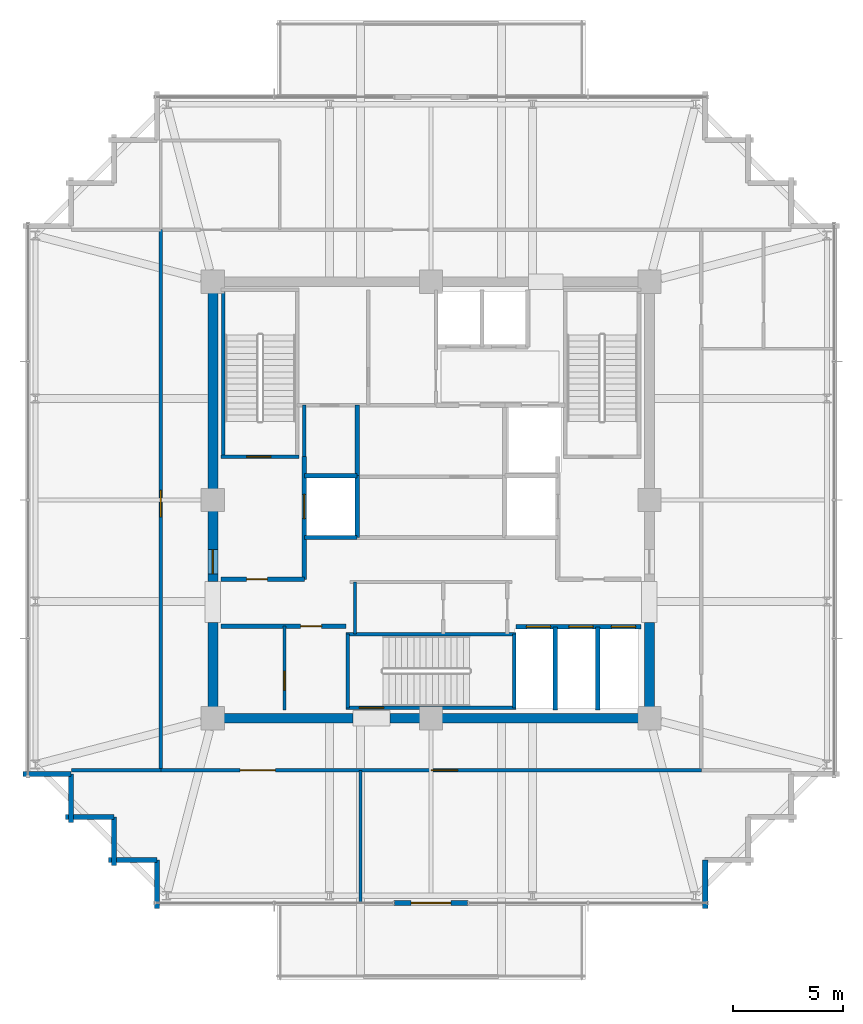
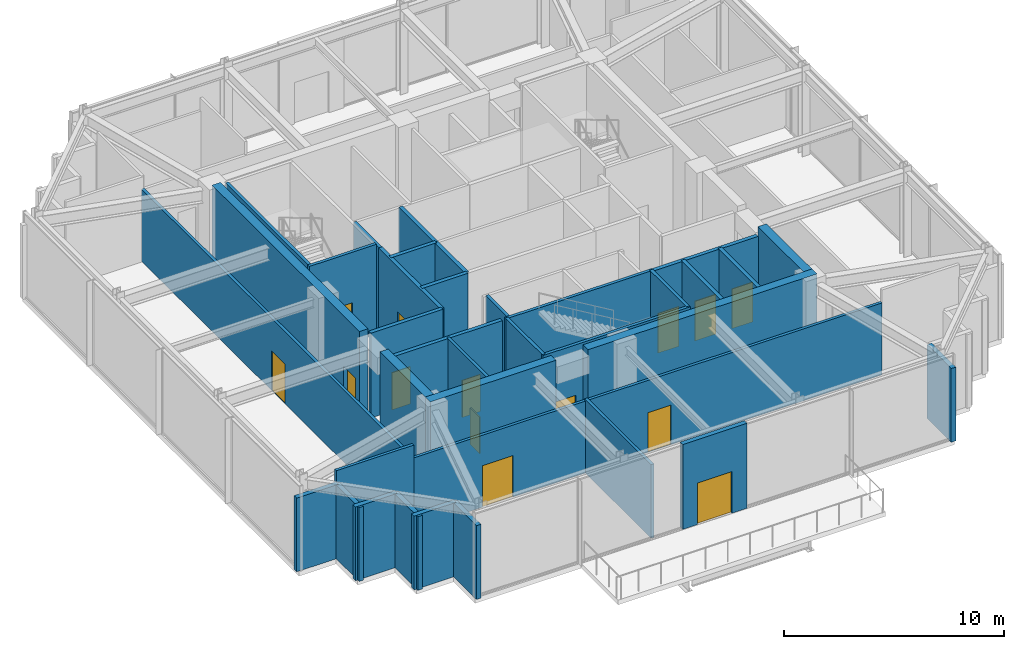
# One storey, part 27 of 31: 36 walls, 14 doors, 14 openings.
"""IFC4 building model written with IfcOpenShell, lengths in metres."""

from ifc_helpers import new_model, si_unit, direction, frame, frame_2d, origin, place, context, subcontext, project, spatial, rectangle, extrude, material, layer, layer_set, type_object, element, fill, save


model = new_model("IFC4")

# Units and contexts
model_context = context("Model", 3, precision=1e-05, world=origin(), true_north=direction((0.0, 1.0)))
body_context = subcontext(model_context, "Body", "Model", "MODEL_VIEW")
ifc_project = project(units=[si_unit("LENGTHUNIT", "METRE"), si_unit("AREAUNIT", "SQUARE_METRE"), si_unit("VOLUMEUNIT", "CUBIC_METRE"), si_unit("PLANEANGLEUNIT", "RADIAN"), si_unit("MASSUNIT", "GRAM", prefix="KILO")], contexts=[model_context])

# Site, building, storey
site_placement = place(None, origin())
site = spatial("IfcSite", under=ifc_project, at=site_placement, CompositionType="ELEMENT")
building_placement = place(site_placement, origin())
building = spatial("IfcBuilding", under=site, at=building_placement, Name="Kolvaren Belvedere", CompositionType="ELEMENT")
storey_placement = place(building_placement, frame((0.0, 0.0, 267.39990234375)))
storey = spatial("IfcBuildingStorey", under=building, at=storey_placement, Name="L77", CompositionType="ELEMENT", Elevation=267.39990234375)

# Walls
ifc_material_1 = material(Name="Concrete C50/60", Category="concrete")
ifc_layer_1 = layer(ifc_material_1, 0.449951171875)
ifc_layer_set_1 = layer_set([ifc_layer_1], Name="Concrete C50/60")
wall_type_1 = type_object("IfcWallType", Name="CW-CORE-450", PredefinedType="SHEAR", material=ifc_layer_set_1)
wall_1_placement = place(storey_placement, frame((10.125, -9.89990234375, 0.0), z_axis=(0.0, 0.0, 1.0), x_axis=(-1.0, 0.0, 0.0)))
element("IfcWall", 1, at=wall_1_placement, inside=storey, type_object=wall_type_1, Name="L77 South Core Shear Wall 1", PredefinedType="SHEAR", context=body_context, shape_type="SweptSolid", body=[
    extrude(rectangle(XDim=11.985107421875, YDim=0.449951171875, at=frame_2d((5.99267578125, 0.0))), origin(), (0.0, 0.0, 1.0), 5.0),
])
wall_2_placement = place(storey_placement, frame((-3.5400390625, -9.89990234375, 0.0), z_axis=(0.0, 0.0, 1.0), x_axis=(-1.0, 0.0, 0.0)))
element("IfcWall", 2, at=wall_2_placement, inside=storey, type_object=wall_type_1, Name="L77 South Core Shear Wall 2", PredefinedType="SHEAR", context=body_context, shape_type="SweptSolid", body=[
    extrude(rectangle(XDim=6.5849609375, YDim=0.449951171875, at=frame_2d((3.29248046875, 0.0))), origin(), (0.0, 0.0, 1.0), 5.0),
])
for number, where, z_axis, x_axis, name in (
    (3, (-9.89990234375, -9.675048828125, 0.0), (0.0, 0.0, 1.0), (0.0, 1.0, 0.0), "L77 West Core Shear Wall 1"),
    (4, (9.89990234375, -9.675048828125, 0.0), (0.0, 0.0, 1.0), (0.0, 1.0, 0.0), "L77 East Core Shear Wall 1"),
):
    element("IfcWall", number, at=place(storey_placement, frame(where, z_axis=z_axis, x_axis=x_axis)), inside=storey, type_object=wall_type_1, Name=name, PredefinedType="SHEAR", context=body_context, shape_type="SweptSolid", body=[
        extrude(rectangle(XDim=4.125, YDim=0.449951171875, at=frame_2d((2.0625, 0.0))), origin(), (0.0, 0.0, 1.0), 5.0),
    ])

# Wall, opening, door
wall_3_placement = place(storey_placement, frame((-9.89990234375, -3.699951171875, 0.0), z_axis=(0.0, 0.0, 1.0), x_axis=(0.0, 1.0, 0.0)))
wall_3 = element("IfcWall", 5, at=wall_3_placement, inside=storey, type_object=wall_type_1, Name="L77 West Core Shear Wall 2", PredefinedType="SHEAR", context=body_context, shape_type="SweptSolid", body=[
    extrude(rectangle(XDim=13.375, YDim=0.449951171875, at=frame_2d((6.6875, 0.0))), origin(), (0.0, 0.0, 1.0), 5.0),
])
opening_1_placement = place(wall_3_placement, frame((0.35009765625, 0.0, 0.0)))
opening_1 = element("IfcOpeningElement", 6, at=opening_1_placement, cuts=wall_3, Name="Opening D-FD90", PredefinedType="OPENING", context=body_context, shape_type="SweptSolid", body=[
    extrude(rectangle(XDim=1.10009765625, YDim=2.199951171875, at=frame_2d((0.550048828125, 1.10009765625))), frame((0.0, 0.23486328125, 0.0), z_axis=(0.0, -1.0, 0.0), x_axis=(1.0, 0.0, 0.0)), (0.0, 0.0, 1.0), 0.469970703125),
])
ifc_material_2 = material(Name="Painted hollow stainless steel", Category="steel")
door_type_1 = type_object("IfcDoorType", Name="DR-FD90-1100", OperationType="NOTDEFINED", PredefinedType="DOOR", material=ifc_material_2)
door_1_placement = place(opening_1_placement, origin())
door_1 = element("IfcDoor", 7, at=door_1_placement, inside=storey, type_object=door_type_1, Name="L77 West Firefighting Lobby Fire Door", OperationType="SINGLE_SWING_LEFT", OverallHeight=2.199951171875, OverallWidth=1.10009765625, PredefinedType="DOOR", context=body_context, shape_type="SweptSolid", body=[
    extrude(rectangle(XDim=1.10009765625, YDim=2.199951171875, at=frame_2d((0.550048828125, 1.10009765625))), frame((0.0, 0.02490234375, 0.0), z_axis=(0.0, -1.0, 0.0), x_axis=(1.0, 0.0, 0.0)), (0.0, 0.0, 1.0), 0.050048828125),
])
fill(opening_1, door_1)

ifc_material_3 = material(Name="Concrete C50/60", Category="concrete")
ifc_layer_2 = layer(ifc_material_3, 0.159912109375)
ifc_layer_set_2 = layer_set([ifc_layer_2], Name="Concrete C50/60")
wall_type_2 = type_object("IfcWallType", Name="CW-STAIR-160", PredefinedType="SHEAR", material=ifc_layer_set_2)
wall_4_placement = place(storey_placement, frame((-9.52001953125, 1.969970703125, 0.0), z_axis=(0.0, 0.0, 1.0), x_axis=(1.0, 0.0, 0.0)))
wall_4 = element("IfcWall", 8, at=wall_4_placement, inside=storey, type_object=wall_type_2, Name="L77 Stair ST-1 South Shear Wall", PredefinedType="SHEAR", context=body_context, shape_type="SweptSolid", body=[
    extrude(rectangle(XDim=3.52001953125, YDim=0.159912109375, at=frame_2d((1.760009765625, 0.0))), origin(), (0.0, 0.0, 1.0), 5.0),
])
opening_2_placement = place(wall_4_placement, frame((1.14990234375, 0.0, 0.0)))
opening_2 = element("IfcOpeningElement", 9, at=opening_2_placement, cuts=wall_4, Name="Opening D-FD90", PredefinedType="OPENING", context=body_context, shape_type="SweptSolid", body=[
    extrude(rectangle(XDim=1.10009765625, YDim=2.199951171875, at=frame_2d((0.550048828125, 1.10009765625))), frame((0.0, 0.08984375, 0.0), z_axis=(0.0, -1.0, 0.0), x_axis=(1.0, 0.0, 0.0)), (0.0, 0.0, 1.0), 0.179931640625),
])
door_2_placement = place(opening_2_placement, origin())
door_2 = element("IfcDoor", 10, at=door_2_placement, inside=storey, type_object=door_type_1, Name="L77 Stair ST-1 Fire Door", OperationType="SINGLE_SWING_LEFT", OverallHeight=2.199951171875, OverallWidth=1.10009765625, PredefinedType="DOOR", context=body_context, shape_type="SweptSolid", body=[
    extrude(rectangle(XDim=1.10009765625, YDim=2.199951171875, at=frame_2d((0.550048828125, 1.10009765625))), frame((0.0, 0.02490234375, 0.0), z_axis=(0.0, -1.0, 0.0), x_axis=(1.0, 0.0, 0.0)), (0.0, 0.0, 1.0), 0.050048828125),
])
fill(opening_2, door_2)

# Wall
wall_5_placement = place(storey_placement, frame((-9.429931640625, 1.969970703125, 0.0), z_axis=(0.0, 0.0, 1.0), x_axis=(0.0, 1.0, 0.0)))
element("IfcWall", 11, at=wall_5_placement, inside=storey, type_object=wall_type_2, Name="L77 Stair ST-1 West Shear Wall", PredefinedType="SHEAR", context=body_context, shape_type="SweptSolid", body=[
    extrude(rectangle(XDim=7.56005859375, YDim=0.159912109375, at=frame_2d((3.780029296875, 0.0))), origin(), (0.0, 0.0, 1.0), 5.0),
])

# Wall, opening, door
wall_6_placement = place(storey_placement, frame((3.860107421875, -9.429931640625, 0.0), z_axis=(0.0, 0.0, 1.0), x_axis=(-1.0, 0.0, 0.0)))
wall_6 = element("IfcWall", 12, at=wall_6_placement, inside=storey, type_object=wall_type_2, Name="L77 Stair ST-3 South Shear Wall", PredefinedType="SHEAR", context=body_context, shape_type="SweptSolid", body=[
    extrude(rectangle(XDim=7.72021484375, YDim=0.159912109375, at=frame_2d((3.860107421875, 0.0))), origin(), (0.0, 0.0, 1.0), 5.0),
])
opening_3_placement = place(wall_6_placement, frame((6.010009765625, 0.0, 0.0)))
opening_3 = element("IfcOpeningElement", 13, at=opening_3_placement, cuts=wall_6, Name="Opening D-FD90", PredefinedType="OPENING", context=body_context, shape_type="SweptSolid", body=[
    extrude(rectangle(XDim=1.10009765625, YDim=2.199951171875, at=frame_2d((0.550048828125, 1.10009765625))), frame((0.0, 0.08984375, 0.0), z_axis=(0.0, -1.0, 0.0), x_axis=(1.0, 0.0, 0.0)), (0.0, 0.0, 1.0), 0.179931640625),
])
door_3_placement = place(opening_3_placement, origin())
door_3 = element("IfcDoor", 14, at=door_3_placement, inside=storey, type_object=door_type_1, Name="L77 Stair ST-3 Exit Door", OperationType="SINGLE_SWING_RIGHT", OverallHeight=2.199951171875, OverallWidth=1.10009765625, PredefinedType="DOOR", context=body_context, shape_type="SweptSolid", body=[
    extrude(rectangle(XDim=1.10009765625, YDim=2.199951171875, at=frame_2d((0.550048828125, 1.10009765625))), frame((0.0, 0.02490234375, 0.0), z_axis=(0.0, -1.0, 0.0), x_axis=(1.0, 0.0, 0.0)), (0.0, 0.0, 1.0), 0.050048828125),
])
fill(opening_3, door_3)

# Walls
wall_7_placement = place(storey_placement, frame((-3.860107421875, -6.080078125, 0.0), z_axis=(0.0, 0.0, 1.0), x_axis=(1.0, 0.0, 0.0)))
element("IfcWall", 15, at=wall_7_placement, inside=storey, type_object=wall_type_2, Name="L77 Stair ST-3 North Shear Wall", PredefinedType="SHEAR", context=body_context, shape_type="SweptSolid", body=[
    extrude(rectangle(XDim=7.72021484375, YDim=0.159912109375, at=frame_2d((3.860107421875, 0.0))), origin(), (0.0, 0.0, 1.0), 5.0),
])
for number, where, z_axis, x_axis, name in (
    (16, (-3.780029296875, -9.429931640625, 0.0), (0.0, 0.0, 1.0), (0.0, 1.0, 0.0), "L77 Stair ST-3 West Shear Wall"),
    (17, (3.780029296875, -9.429931640625, 0.0), (0.0, 0.0, 1.0), (0.0, 1.0, 0.0), "L77 Stair ST-3 East Shear Wall"),
):
    element("IfcWall", number, at=place(storey_placement, frame(where, z_axis=z_axis, x_axis=x_axis)), inside=storey, type_object=wall_type_2, Name=name, PredefinedType="SHEAR", context=body_context, shape_type="SweptSolid", body=[
        extrude(rectangle(XDim=3.349853515625, YDim=0.159912109375, at=frame_2d((1.6748046875, 0.0))), origin(), (0.0, 0.0, 1.0), 5.0),
    ])

# Wall, openings, doors
ifc_material_4 = material(Name="Gypsum fire-rated partition assembly", Category="gypsum")
ifc_layer_3 = layer(ifc_material_4, 0.14990234375)
ifc_layer_set_3 = layer_set([ifc_layer_3], Name="Gypsum fire-rated partition assembly")
wall_type_3 = type_object("IfcWallType", Name="WL-CORR-150", PredefinedType="PARTITIONING", material=ifc_layer_set_3)
wall_8_placement = place(storey_placement, frame((-12.260009765625, -12.260009765625, 0.0), z_axis=(0.0, 0.0, 1.0), x_axis=(1.0, 0.0, 0.0)))
wall_8 = element("IfcWall", 18, at=wall_8_placement, inside=storey, type_object=wall_type_3, Name="L77 South Corridor Wall", PredefinedType="PARTITIONING", context=body_context, shape_type="SweptSolid", body=[
    extrude(rectangle(XDim=24.52001953125, YDim=0.14990234375, at=frame_2d((12.260009765625, 0.0))), origin(), (0.0, 0.0, 1.0), 3.989013671875),
])
opening_4_placement = place(wall_8_placement, frame((3.60009765625, 0.0, 0.0)))
opening_4 = element("IfcOpeningElement", 19, at=opening_4_placement, cuts=wall_8, Name="Opening D-GL16", PredefinedType="OPENING", context=body_context, shape_type="SweptSolid", body=[
    extrude(rectangle(XDim=1.60009765625, YDim=2.300048828125, at=frame_2d((0.800048828125, 1.14990234375))), frame((0.0, 0.0849609375, 0.0), z_axis=(0.0, -1.0, 0.0), x_axis=(1.0, 0.0, 0.0)), (0.0, 0.0, 1.0), 0.169921875),
])
opening_5_placement = place(wall_8_placement, frame((12.260009765625, 0.0, 0.0)))
opening_5 = element("IfcOpeningElement", 20, at=opening_5_placement, cuts=wall_8, Name="Opening D-GL12", PredefinedType="OPENING", context=body_context, shape_type="SweptSolid", body=[
    extrude(rectangle(XDim=1.199951171875, YDim=2.199951171875, at=frame_2d((0.60009765625, 1.10009765625))), frame((0.0, 0.0849609375, 0.0), z_axis=(0.0, -1.0, 0.0), x_axis=(1.0, 0.0, 0.0)), (0.0, 0.0, 1.0), 0.169921875),
])
ifc_material_5 = material(Name="Anodised pale-metal aluminium & safety glass", Category="aluminium")
door_type_2 = type_object("IfcDoorType", Name="DR-GLAZ-1200", OperationType="DOUBLE_DOOR_SINGLE_SWING", PredefinedType="DOOR", material=ifc_material_5)
door_4_placement = place(opening_5_placement, origin())
door_4 = element("IfcDoor", 21, at=door_4_placement, inside=storey, type_object=door_type_2, Name="L77 South Horizon Viewing Lounge Door", OperationType="DOUBLE_DOOR_SINGLE_SWING", OverallHeight=2.199951171875, OverallWidth=1.199951171875, PredefinedType="DOOR", context=body_context, shape_type="SweptSolid", body=[
    extrude(rectangle(XDim=1.199951171875, YDim=2.199951171875, at=frame_2d((0.60009765625, 1.10009765625))), frame((0.0, 0.02490234375, 0.0), z_axis=(0.0, -1.0, 0.0), x_axis=(1.0, 0.0, 0.0)), (0.0, 0.0, 1.0), 0.050048828125),
])
fill(opening_5, door_4)
ifc_material_6 = material(Name="Anodised pale-metal aluminium & safety glass", Category="aluminium")
door_type_3 = type_object("IfcDoorType", Name="DR-GLAZ-1600", OperationType="DOUBLE_DOOR_SINGLE_SWING", PredefinedType="DOOR", material=ifc_material_6)
door_5_placement = place(opening_4_placement, origin())
door_5 = element("IfcDoor", 22, at=door_5_placement, inside=storey, type_object=door_type_3, Name="L77 360-Degree Belvedere Observation Lounge Door", OperationType="DOUBLE_DOOR_SINGLE_SWING", OverallHeight=2.300048828125, OverallWidth=1.60009765625, PredefinedType="DOOR", context=body_context, shape_type="SweptSolid", body=[
    extrude(rectangle(XDim=1.60009765625, YDim=2.300048828125, at=frame_2d((0.800048828125, 1.14990234375))), frame((0.0, 0.02490234375, 0.0), z_axis=(0.0, -1.0, 0.0), x_axis=(1.0, 0.0, 0.0)), (0.0, 0.0, 1.0), 0.050048828125),
])
fill(opening_4, door_5)

# Wall, opening, door
wall_9_placement = place(storey_placement, frame((-12.260009765625, -12.260009765625, 0.0), z_axis=(0.0, 0.0, 1.0), x_axis=(0.0, 1.0, 0.0)))
wall_9 = element("IfcWall", 23, at=wall_9_placement, inside=storey, type_object=wall_type_3, Name="L77 West Corridor Wall", PredefinedType="PARTITIONING", context=body_context, shape_type="SweptSolid", body=[
    extrude(rectangle(XDim=24.52001953125, YDim=0.14990234375, at=frame_2d((12.260009765625, 0.0))), origin(), (0.0, 0.0, 1.0), 3.989013671875),
])
opening_6_placement = place(wall_9_placement, frame((11.5, 0.0, 0.0)))
opening_6 = element("IfcOpeningElement", 24, at=opening_6_placement, cuts=wall_9, Name="Opening D-GL12", PredefinedType="OPENING", context=body_context, shape_type="SweptSolid", body=[
    extrude(rectangle(XDim=1.199951171875, YDim=2.199951171875, at=frame_2d((0.60009765625, 1.10009765625))), frame((0.0, 0.0849609375, 0.0), z_axis=(0.0, -1.0, 0.0), x_axis=(1.0, 0.0, 0.0)), (0.0, 0.0, 1.0), 0.169921875),
])
door_6_placement = place(opening_6_placement, origin())
door_6 = element("IfcDoor", 25, at=door_6_placement, inside=storey, type_object=door_type_2, Name="L77 West Olympic Viewing Salon Door", OperationType="DOUBLE_DOOR_SINGLE_SWING", OverallHeight=2.199951171875, OverallWidth=1.199951171875, PredefinedType="DOOR", context=body_context, shape_type="SweptSolid", body=[
    extrude(rectangle(XDim=1.199951171875, YDim=2.199951171875, at=frame_2d((0.60009765625, 1.10009765625))), frame((0.0, 0.02490234375, 0.0), z_axis=(0.0, -1.0, 0.0), x_axis=(1.0, 0.0, 0.0)), (0.0, 0.0, 1.0), 0.050048828125),
])
fill(opening_6, door_6)

# Wall
wall_10_placement = place(storey_placement, frame((-16.320068359375, -12.260009765625, 0.0), z_axis=(0.0, 0.0, 1.0), x_axis=(1.0, 0.0, 0.0)))
element("IfcWall", 26, at=wall_10_placement, inside=storey, type_object=wall_type_3, Name="L77 Sector Wall PW-L77-QSW", PredefinedType="PARTITIONING", context=body_context, shape_type="SweptSolid", body=[
    extrude(rectangle(XDim=4.06005859375, YDim=0.14990234375, at=frame_2d((2.030029296875, 0.0))), origin(), (0.0, 0.0, 1.0), 4.7001953125),
])

# Wall, opening, door
ifc_material_7 = material(Name="Insulated pale-metal facade wall assembly", Category="aluminium")
ifc_layer_4 = layer(ifc_material_7, 0.239990234375)
ifc_layer_set_4 = layer_set([ifc_layer_4], Name="Insulated pale-metal facade wall assembly")
wall_type_4 = type_object("IfcWallType", Name="WL-EXT-240", PredefinedType="STANDARD", material=ifc_layer_set_4)
wall_11_placement = place(storey_placement, frame((1.679931640625, -18.280029296875, 0.0), z_axis=(0.0, 0.0, 1.0), x_axis=(-1.0, 0.0, 0.0)))
wall_11 = element("IfcWall", 27, at=wall_11_placement, inside=storey, type_object=wall_type_4, Name="L77 South Terrace Portal Wall", PredefinedType="STANDARD", context=body_context, shape_type="SweptSolid", body=[
    extrude(rectangle(XDim=3.35986328125, YDim=0.239990234375, at=frame_2d((1.679931640625, 0.0))), origin(), (0.0, 0.0, 1.0), 4.7001953125),
])
opening_7_placement = place(wall_11_placement, frame((0.780029296875, 0.0, 0.0)))
opening_7 = element("IfcOpeningElement", 28, at=opening_7_placement, cuts=wall_11, Name="Opening DE-1800", PredefinedType="OPENING", context=body_context, shape_type="SweptSolid", body=[
    extrude(rectangle(XDim=1.800048828125, YDim=2.300048828125, at=frame_2d((0.89990234375, 1.14990234375))), frame((0.0, 0.1298828125, 0.0), z_axis=(0.0, -1.0, 0.0), x_axis=(1.0, 0.0, 0.0)), (0.0, 0.0, 1.0), 0.260009765625),
])
ifc_material_8 = material(Name="Thermally broken pale-metal aluminium & safety glass", Category="aluminium")
door_type_4 = type_object("IfcDoorType", Name="DR-EXT-1800", OperationType="DOUBLE_DOOR_SINGLE_SWING", PredefinedType="DOOR", material=ifc_material_8)
door_7_placement = place(opening_7_placement, origin())
door_7 = element("IfcDoor", 29, at=door_7_placement, inside=storey, type_object=door_type_4, Name="L77 South Public Lookout Exit Door", OperationType="DOUBLE_DOOR_SINGLE_SWING", OverallHeight=2.300048828125, OverallWidth=1.800048828125, PredefinedType="DOOR", context=body_context, shape_type="SweptSolid", body=[
    extrude(rectangle(XDim=1.800048828125, YDim=2.300048828125, at=frame_2d((0.89990234375, 1.14990234375))), frame((0.0, 0.02490234375, 0.0), z_axis=(0.0, -1.0, 0.0), x_axis=(1.0, 0.0, 0.0)), (0.0, 0.0, 1.0), 0.050048828125),
])
fill(opening_7, door_7)

# Walls
for number, where, z_axis, x_axis, name in (
    (30, (12.429931640625, -16.330078125, 0.0), (0.0, 0.0, 1.0), (0.0, -1.0, 0.0), "L77 Serrated Corner Facade Wall 2"),
    (31, (-16.330078125, -12.429931640625, 0.0), (0.0, 0.0, 1.0), (-1.0, 0.0, 0.0), "L77 Serrated Corner Facade Wall 23"),
):
    element("IfcWall", number, at=place(storey_placement, frame(where, z_axis=z_axis, x_axis=x_axis)), inside=storey, type_object=wall_type_4, Name=name, PredefinedType="STANDARD", context=body_context, shape_type="SweptSolid", body=[
        extrude(rectangle(XDim=2.18994140625, YDim=0.239990234375, at=frame_2d((1.094970703125, 0.0))), origin(), (0.0, 0.0, 1.0), 4.0830078125),
    ])
for number, where, z_axis, x_axis, name in (
    (32, (-16.330078125, -14.6201171875, 0.0), (0.0, 0.0, 1.0), (0.0, 1.0, 0.0), "L77 Serrated Corner Facade Wall 24"),
    (33, (-14.3798828125, -14.3798828125, 0.0), (0.0, 0.0, 1.0), (-1.0, 0.0, 0.0), "L77 Serrated Corner Facade Wall 25"),
    (34, (-14.3798828125, -16.570068359375, 0.0), (0.0, 0.0, 1.0), (0.0, 1.0, 0.0), "L77 Serrated Corner Facade Wall 26"),
    (35, (-12.429931640625, -16.330078125, 0.0), (0.0, 0.0, 1.0), (-1.0, 0.0, 0.0), "L77 Serrated Corner Facade Wall 27"),
):
    element("IfcWall", number, at=place(storey_placement, frame(where, z_axis=z_axis, x_axis=x_axis)), inside=storey, type_object=wall_type_4, Name=name, PredefinedType="STANDARD", context=body_context, shape_type="SweptSolid", body=[
        extrude(rectangle(XDim=2.190185546875, YDim=0.239990234375, at=frame_2d((1.09521484375, 0.0))), origin(), (0.0, 0.0, 1.0), 4.0830078125),
    ])
wall_12_placement = place(storey_placement, frame((-12.429931640625, -18.52001953125, 0.0), z_axis=(0.0, 0.0, 1.0), x_axis=(0.0, 1.0, 0.0)))
element("IfcWall", 36, at=wall_12_placement, inside=storey, type_object=wall_type_4, Name="L77 Serrated Corner Facade Wall 28", PredefinedType="STANDARD", context=body_context, shape_type="SweptSolid", body=[
    extrude(rectangle(XDim=2.18994140625, YDim=0.239990234375, at=frame_2d((1.094970703125, 0.0))), origin(), (0.0, 0.0, 1.0), 4.0830078125),
])

# Wall, opening, door
ifc_material_9 = material(Name="Gypsum acoustic partition assembly", Category="gypsum")
ifc_layer_5 = layer(ifc_material_9, 0.14990234375)
ifc_layer_set_5 = layer_set([ifc_layer_5], Name="Gypsum acoustic partition assembly")
wall_type_5 = type_object("IfcWallType", Name="WL-PART-150", PredefinedType="PARTITIONING", material=ifc_layer_set_5)
wall_13_placement = place(storey_placement, frame((-6.64990234375, -9.52001953125, 0.0), z_axis=(0.0, 0.0, 1.0), x_axis=(0.0, 1.0, 0.0)))
wall_13 = element("IfcWall", 37, at=wall_13_placement, inside=storey, type_object=wall_type_5, Name="L77 Reclaimed Mid Divider", PredefinedType="PARTITIONING", context=body_context, shape_type="SweptSolid", body=[
    extrude(rectangle(XDim=3.800048828125, YDim=0.14990234375, at=frame_2d((1.89990234375, 0.0))), origin(), (0.0, 0.0, 1.0), 4.7001953125),
])
opening_8_placement = place(wall_13_placement, frame((0.89990234375, 0.0, 0.0)))
opening_8 = element("IfcOpeningElement", 38, at=opening_8_placement, cuts=wall_13, Name="Opening D-INT85", PredefinedType="OPENING", context=body_context, shape_type="SweptSolid", body=[
    extrude(rectangle(XDim=0.85009765625, YDim=2.030029296875, at=frame_2d((0.425048828125, 1.01513671875))), frame((0.0, 0.0849609375, 0.0), z_axis=(0.0, -1.0, 0.0), x_axis=(1.0, 0.0, 0.0)), (0.0, 0.0, 1.0), 0.169921875),
])
ifc_material_10 = material(Name="Stained Pacific white oak", Category="timber")
door_type_5 = type_object("IfcDoorType", Name="DR-INT-850", OperationType="NOTDEFINED", PredefinedType="DOOR", material=ifc_material_10)
door_8_placement = place(opening_8_placement, origin())
door_8 = element("IfcDoor", 39, at=door_8_placement, inside=storey, type_object=door_type_5, Name="L77 Conservatory Alcove Door", OperationType="SINGLE_SWING_RIGHT", OverallHeight=2.030029296875, OverallWidth=0.85009765625, PredefinedType="DOOR", context=body_context, shape_type="SweptSolid", body=[
    extrude(rectangle(XDim=0.85009765625, YDim=2.030029296875, at=frame_2d((0.425048828125, 1.01513671875))), frame((0.0, 0.02490234375, 0.0), z_axis=(0.0, -1.0, 0.0), x_axis=(1.0, 0.0, 0.0)), (0.0, 0.0, 1.0), 0.050048828125),
])
fill(opening_8, door_8)

# Walls
wall_14_placement = place(storey_placement, frame((-3.449951171875, -6.080078125, 0.0), z_axis=(0.0, 0.0, 1.0), x_axis=(0.0, 1.0, 0.0)))
element("IfcWall", 40, at=wall_14_placement, inside=storey, type_object=wall_type_5, Name="L77 South Core Service West Wall", PredefinedType="PARTITIONING", context=body_context, shape_type="SweptSolid", body=[
    extrude(rectangle(XDim=2.360107421875, YDim=0.14990234375, at=frame_2d((1.18017578125, 0.0))), origin(), (0.0, 0.0, 1.0), 4.7001953125),
])
wall_15_placement = place(storey_placement, frame((-5.75, 1.969970703125, 0.0), z_axis=(0.0, 0.0, 1.0), x_axis=(0.0, 1.0, 0.0)))
element("IfcWall", 41, at=wall_15_placement, inside=storey, type_object=wall_type_5, Name="L77 NW Service Room West Wall", PredefinedType="PARTITIONING", context=body_context, shape_type="SweptSolid", body=[
    extrude(rectangle(XDim=2.330078125, YDim=0.14990234375, at=frame_2d((1.1650390625, 0.0))), origin(), (0.0, 0.0, 1.0), 4.7001953125),
])
wall_16_placement = place(storey_placement, frame((-3.199951171875, -18.280029296875, 0.0), z_axis=(0.0, 0.0, 1.0), x_axis=(0.0, 1.0, 0.0)))
element("IfcWall", 42, at=wall_16_placement, inside=storey, type_object=wall_type_5, Name="L77 South Salon Divider", PredefinedType="PARTITIONING", context=body_context, shape_type="SweptSolid", body=[
    extrude(rectangle(XDim=6.02001953125, YDim=0.14990234375, at=frame_2d((3.010009765625, 0.0))), origin(), (0.0, 0.0, 1.0), 4.072998046875),
])

# Wall, opening, door
ifc_material_11 = material(Name="Concrete C50/60", Category="concrete")
ifc_layer_6 = layer(ifc_material_11, 0.199951171875)
ifc_layer_set_6 = layer_set([ifc_layer_6], Name="Concrete C50/60")
wall_type_6 = type_object("IfcWallType", Name="WL-SHAFT-200", PredefinedType="SOLIDWALL", material=ifc_layer_set_6)
wall_17_placement = place(storey_placement, frame((-9.52001953125, -3.60009765625, 0.0), z_axis=(0.0, 0.0, 1.0), x_axis=(1.0, 0.0, 0.0)))
wall_17 = element("IfcWall", 43, at=wall_17_placement, inside=storey, type_object=wall_type_6, Name="L77 West FSAE Lobby South Wall", PredefinedType="SOLIDWALL", context=body_context, shape_type="SweptSolid", body=[
    extrude(rectangle(XDim=3.77001953125, YDim=0.199951171875, at=frame_2d((1.885009765625, 0.0))), origin(), (0.0, 0.0, 1.0), 4.7001953125),
])
opening_9_placement = place(wall_17_placement, frame((1.14990234375, 0.0, 0.0)))
opening_9 = element("IfcOpeningElement", 44, at=opening_9_placement, cuts=wall_17, Name="Opening D-FD60", PredefinedType="OPENING", context=body_context, shape_type="SweptSolid", body=[
    extrude(rectangle(XDim=0.949951171875, YDim=2.06005859375, at=frame_2d((0.47509765625, 1.030029296875))), frame((0.0, 0.10986328125, 0.0), z_axis=(0.0, -1.0, 0.0), x_axis=(1.0, 0.0, 0.0)), (0.0, 0.0, 1.0), 0.219970703125),
])
ifc_material_12 = material(Name="Acoustic white-oak fire door leaf", Category="timber")
door_type_6 = type_object("IfcDoorType", Name="DR-FD60-950", OperationType="NOTDEFINED", PredefinedType="DOOR", material=ifc_material_12)
door_9_placement = place(opening_9_placement, origin())
door_9 = element("IfcDoor", 45, at=door_9_placement, inside=storey, type_object=door_type_6, Name="L77 SW Lobby Fire Door", OperationType="SINGLE_SWING_LEFT", OverallHeight=2.06005859375, OverallWidth=0.949951171875, PredefinedType="DOOR", context=body_context, shape_type="SweptSolid", body=[
    extrude(rectangle(XDim=0.949951171875, YDim=2.06005859375, at=frame_2d((0.47509765625, 1.030029296875))), frame((0.0, 0.02490234375, 0.0), z_axis=(0.0, -1.0, 0.0), x_axis=(1.0, 0.0, 0.0)), (0.0, 0.0, 1.0), 0.050048828125),
])
fill(opening_9, door_9)

wall_18_placement = place(storey_placement, frame((-5.75, -3.60009765625, 0.0), z_axis=(0.0, 0.0, 1.0), x_axis=(0.0, 1.0, 0.0)))
wall_18 = element("IfcWall", 46, at=wall_18_placement, inside=storey, type_object=wall_type_6, Name="L77 FSAE FS1 Landing Wall", PredefinedType="SOLIDWALL", context=body_context, shape_type="SweptSolid", body=[
    extrude(rectangle(XDim=5.570068359375, YDim=0.199951171875, at=frame_2d((2.78515625, 0.0))), origin(), (0.0, 0.0, 1.0), 4.7001953125),
])
opening_10_placement = place(wall_18_placement, frame((2.75, 0.0, 0.0)))
opening_10 = element("IfcOpeningElement", 47, at=opening_10_placement, cuts=wall_18, Name="Opening LD-11", PredefinedType="OPENING", context=body_context, shape_type="SweptSolid", body=[
    extrude(rectangle(XDim=1.10009765625, YDim=2.199951171875, at=frame_2d((0.550048828125, 1.10009765625))), frame((0.0, 0.10986328125, 0.0), z_axis=(0.0, -1.0, 0.0), x_axis=(1.0, 0.0, 0.0)), (0.0, 0.0, 1.0), 0.219970703125),
])
ifc_material_13 = material(Name="Brushed stainless steel", Category="steel")
door_type_7 = type_object("IfcDoorType", Name="DR-LIFT-1100", OperationType="DOUBLE_DOOR_SLIDING", PredefinedType="DOOR", material=ifc_material_13)
door_10_placement = place(opening_10_placement, origin())
door_10 = element("IfcDoor", 48, at=door_10_placement, inside=storey, type_object=door_type_7, Name="L77 Firefighting Lift FS1 Landing Door", OperationType="DOUBLE_DOOR_SLIDING", OverallHeight=2.199951171875, OverallWidth=1.10009765625, PredefinedType="DOOR", context=body_context, shape_type="SweptSolid", body=[
    extrude(rectangle(XDim=1.10009765625, YDim=2.199951171875, at=frame_2d((0.550048828125, 1.10009765625))), frame((0.0, 0.02490234375, 0.0), z_axis=(0.0, -1.0, 0.0), x_axis=(1.0, 0.0, 0.0)), (0.0, 0.0, 1.0), 0.050048828125),
])
fill(opening_10, door_10)

# Walls
wall_19_placement = place(storey_placement, frame((-3.35009765625, -1.699951171875, 0.0), z_axis=(0.0, 0.0, 1.0), x_axis=(0.0, 1.0, 0.0)))
element("IfcWall", 49, at=wall_19_placement, inside=storey, type_object=wall_type_6, Name="L77 FSAE FS1 Back Wall", PredefinedType="SOLIDWALL", context=body_context, shape_type="SweptSolid", body=[
    extrude(rectangle(XDim=2.800048828125, YDim=0.199951171875, at=frame_2d((1.39990234375, 0.0))), origin(), (0.0, 0.0, 1.0), 4.7001953125),
])
for number, where, z_axis, x_axis, name in (
    (50, (-5.75, -1.699951171875, 0.0), (0.0, 0.0, 1.0), (1.0, 0.0, 0.0), "L77 FSAE FS1 South Wall"),
    (51, (-5.75, 1.10009765625, 0.0), (0.0, 0.0, 1.0), (1.0, 0.0, 0.0), "L77 FSAE FS1 North Wall"),
):
    element("IfcWall", number, at=place(storey_placement, frame(where, z_axis=z_axis, x_axis=x_axis)), inside=storey, type_object=wall_type_6, Name=name, PredefinedType="SOLIDWALL", context=body_context, shape_type="SweptSolid", body=[
        extrude(rectangle(XDim=2.39990234375, YDim=0.199951171875, at=frame_2d((1.199951171875, 0.0))), origin(), (0.0, 0.0, 1.0), 4.7001953125),
    ])

# Wall, opening, door
wall_20_placement = place(storey_placement, frame((-9.52001953125, -5.719970703125, 0.0), z_axis=(0.0, 0.0, 1.0), x_axis=(1.0, 0.0, 0.0)))
wall_20 = element("IfcWall", 52, at=wall_20_placement, inside=storey, type_object=wall_type_6, Name="L77 Reclaimed Mid Room North Wall", PredefinedType="SOLIDWALL", context=body_context, shape_type="SweptSolid", body=[
    extrude(rectangle(XDim=5.659912109375, YDim=0.199951171875, at=frame_2d((2.830078125, 0.0))), origin(), (0.0, 0.0, 1.0), 4.7001953125),
])
opening_11_placement = place(wall_20_placement, frame((3.60009765625, 0.0, 0.0)))
opening_11 = element("IfcOpeningElement", 53, at=opening_11_placement, cuts=wall_20, Name="Opening D-FD60", PredefinedType="OPENING", context=body_context, shape_type="SweptSolid", body=[
    extrude(rectangle(XDim=0.949951171875, YDim=2.06005859375, at=frame_2d((0.47509765625, 1.030029296875))), frame((0.0, 0.10986328125, 0.0), z_axis=(0.0, -1.0, 0.0), x_axis=(1.0, 0.0, 0.0)), (0.0, 0.0, 1.0), 0.219970703125),
])
door_11_placement = place(opening_11_placement, origin())
door_11 = element("IfcDoor", 54, at=door_11_placement, inside=storey, type_object=door_type_6, Name="L77 Study Entry Door", OperationType="SINGLE_SWING_LEFT", OverallHeight=2.06005859375, OverallWidth=0.949951171875, PredefinedType="DOOR", context=body_context, shape_type="SweptSolid", body=[
    extrude(rectangle(XDim=0.949951171875, YDim=2.06005859375, at=frame_2d((0.47509765625, 1.030029296875))), frame((0.0, 0.02490234375, 0.0), z_axis=(0.0, -1.0, 0.0), x_axis=(1.0, 0.0, 0.0)), (0.0, 0.0, 1.0), 0.050048828125),
])
fill(opening_11, door_11)

# Wall, openings, doors
wall_21_placement = place(storey_placement, frame((3.860107421875, -5.75, 0.0), z_axis=(0.0, 0.0, 1.0), x_axis=(1.0, 0.0, 0.0)))
wall_21 = element("IfcWall", 55, at=wall_21_placement, inside=storey, type_object=wall_type_6, Name="L77 High-Rise Lift Bank Front Wall", PredefinedType="SOLIDWALL", context=body_context, shape_type="SweptSolid", body=[
    extrude(rectangle(XDim=5.659912109375, YDim=0.199951171875, at=frame_2d((2.830078125, 0.0))), origin(), (0.0, 0.0, 1.0), 4.7001953125),
])
opening_12_placement = place(wall_21_placement, frame((0.4599609375, 0.0, 0.0)))
opening_12 = element("IfcOpeningElement", 56, at=opening_12_placement, cuts=wall_21, Name="Opening LD-11", PredefinedType="OPENING", context=body_context, shape_type="SweptSolid", body=[
    extrude(rectangle(XDim=1.10009765625, YDim=2.199951171875, at=frame_2d((0.550048828125, 1.10009765625))), frame((0.0, 0.10986328125, 0.0), z_axis=(0.0, -1.0, 0.0), x_axis=(1.0, 0.0, 0.0)), (0.0, 0.0, 1.0), 0.219970703125),
])
opening_13_placement = place(wall_21_placement, frame((2.389892578125, 0.0, 0.0)))
opening_13 = element("IfcOpeningElement", 57, at=opening_13_placement, cuts=wall_21, Name="Opening LD-11", PredefinedType="OPENING", context=body_context, shape_type="SweptSolid", body=[
    extrude(rectangle(XDim=1.10009765625, YDim=2.199951171875, at=frame_2d((0.550048828125, 1.10009765625))), frame((0.0, 0.10986328125, 0.0), z_axis=(0.0, -1.0, 0.0), x_axis=(1.0, 0.0, 0.0)), (0.0, 0.0, 1.0), 0.219970703125),
])
opening_14_placement = place(wall_21_placement, frame((4.320068359375, 0.0, 0.0)))
opening_14 = element("IfcOpeningElement", 58, at=opening_14_placement, cuts=wall_21, Name="Opening LD-11", PredefinedType="OPENING", context=body_context, shape_type="SweptSolid", body=[
    extrude(rectangle(XDim=1.10009765625, YDim=2.199951171875, at=frame_2d((0.550048828125, 1.10009765625))), frame((0.0, 0.10986328125, 0.0), z_axis=(0.0, -1.0, 0.0), x_axis=(1.0, 0.0, 0.0)), (0.0, 0.0, 1.0), 0.219970703125),
])
door_12_placement = place(opening_12_placement, origin())
door_12 = element("IfcDoor", 59, at=door_12_placement, inside=storey, type_object=door_type_7, Name="L77 Passenger Lift P7 Landing Door", OperationType="DOUBLE_DOOR_SLIDING", OverallHeight=2.199951171875, OverallWidth=1.10009765625, PredefinedType="DOOR", context=body_context, shape_type="SweptSolid", body=[
    extrude(rectangle(XDim=1.10009765625, YDim=2.199951171875, at=frame_2d((0.550048828125, 1.10009765625))), frame((0.0, 0.02490234375, 0.0), z_axis=(0.0, -1.0, 0.0), x_axis=(1.0, 0.0, 0.0)), (0.0, 0.0, 1.0), 0.050048828125),
])
fill(opening_12, door_12)
door_13_placement = place(opening_13_placement, origin())
door_13 = element("IfcDoor", 60, at=door_13_placement, inside=storey, type_object=door_type_7, Name="L77 Passenger Lift P8 Landing Door", OperationType="DOUBLE_DOOR_SLIDING", OverallHeight=2.199951171875, OverallWidth=1.10009765625, PredefinedType="DOOR", context=body_context, shape_type="SweptSolid", body=[
    extrude(rectangle(XDim=1.10009765625, YDim=2.199951171875, at=frame_2d((0.550048828125, 1.10009765625))), frame((0.0, 0.02490234375, 0.0), z_axis=(0.0, -1.0, 0.0), x_axis=(1.0, 0.0, 0.0)), (0.0, 0.0, 1.0), 0.050048828125),
])
fill(opening_13, door_13)
door_14_placement = place(opening_14_placement, origin())
door_14 = element("IfcDoor", 61, at=door_14_placement, inside=storey, type_object=door_type_7, Name="L77 Passenger Lift P9 Landing Door", OperationType="DOUBLE_DOOR_SLIDING", OverallHeight=2.199951171875, OverallWidth=1.10009765625, PredefinedType="DOOR", context=body_context, shape_type="SweptSolid", body=[
    extrude(rectangle(XDim=1.10009765625, YDim=2.199951171875, at=frame_2d((0.550048828125, 1.10009765625))), frame((0.0, 0.02490234375, 0.0), z_axis=(0.0, -1.0, 0.0), x_axis=(1.0, 0.0, 0.0)), (0.0, 0.0, 1.0), 0.050048828125),
])
fill(opening_14, door_14)

# Walls
for number, where, z_axis, x_axis, name in (
    (62, (5.6298828125, -9.52001953125, 0.0), (0.0, 0.0, 1.0), (0.0, 1.0, 0.0), "L77 High-Rise Hoistway Divider 1"),
    (63, (7.56005859375, -9.52001953125, 0.0), (0.0, 0.0, 1.0), (0.0, 1.0, 0.0), "L77 High-Rise Hoistway Divider 2"),
):
    element("IfcWall", number, at=place(storey_placement, frame(where, z_axis=z_axis, x_axis=x_axis)), inside=storey, type_object=wall_type_6, Name=name, PredefinedType="SOLIDWALL", context=body_context, shape_type="SweptSolid", body=[
        extrude(rectangle(XDim=3.77001953125, YDim=0.199951171875, at=frame_2d((1.885009765625, 0.0))), origin(), (0.0, 0.0, 1.0), 4.7001953125),
    ])
wall_22_placement = place(storey_placement, frame((-3.35009765625, 1.10009765625, 0.0), z_axis=(0.0, 0.0, 1.0), x_axis=(0.0, 1.0, 0.0)))
element("IfcWall", 64, at=wall_22_placement, inside=storey, type_object=wall_type_6, Name="L77 Central Core Room West Wall", PredefinedType="SOLIDWALL", context=body_context, shape_type="SweptSolid", body=[
    extrude(rectangle(XDim=3.199951171875, YDim=0.199951171875, at=frame_2d((1.60009765625, 0.0))), origin(), (0.0, 0.0, 1.0), 4.7001953125),
])

save(model, "model.ifc")
